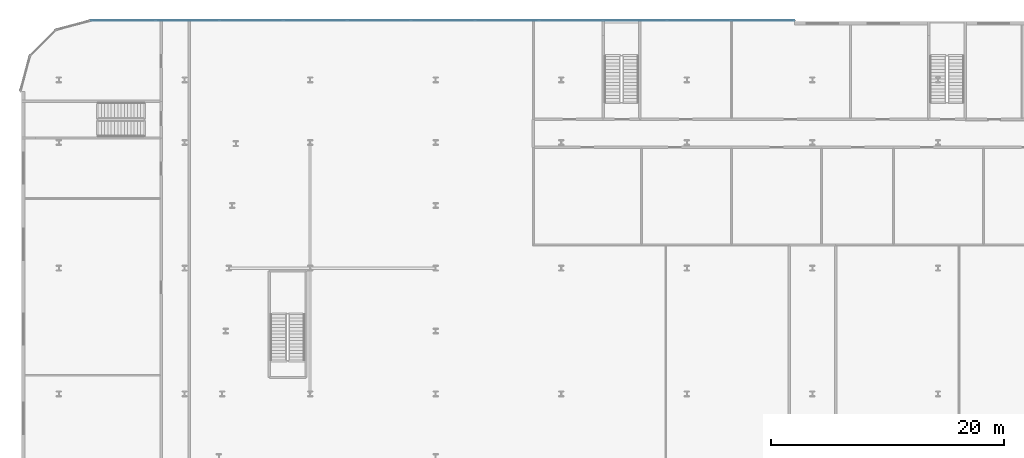
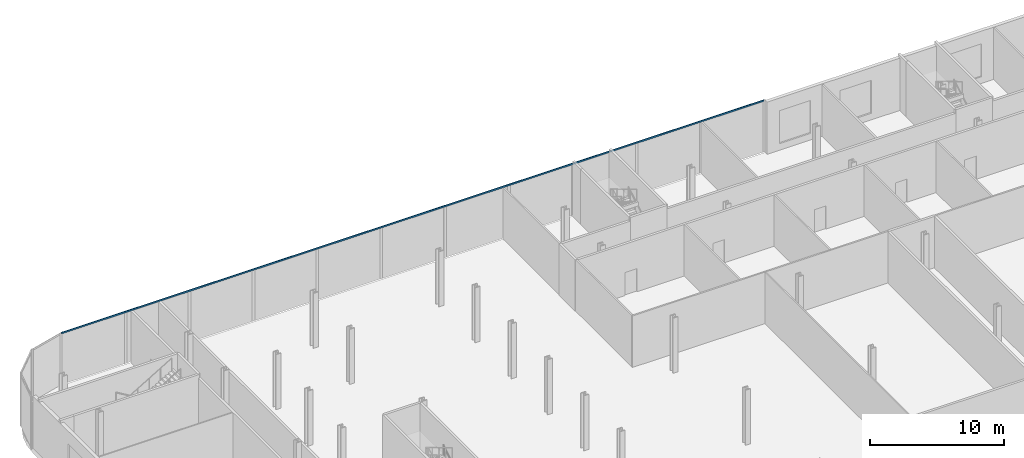
# One storey, part 16 of 47: 1 member, 1 element without a shape of its own.
"""IFC4 building model written with IfcOpenShell, lengths in metres."""

import ifcopenshell
import ifcopenshell.guid

model = None  # the IFC model being written
_history = None  # IfcOwnerHistory: only IFC2X3 demands one
_inside = {}  # id of a spatial element -> (the spatial element, [elements in it])
_under = {}  # id of a project, library or spatial element -> (it, [spatial elements below it])
_declared = {}  # id of a project -> (the project, [libraries it declares])
_typed = {}  # id of a type object -> (the type object, [elements of that type])
_made_of = {}  # id of a material, layer set ... -> (it, [elements and type objects made of it])


def new_model(schema):
    """Start an empty IFC model of exactly this schema.

    Asked for "IFC4X3", IfcOpenShell would pick the latest addendum, in which some entities
    have other attributes; the version numbers below select the first issue.
    IFC2X3 requires an IfcOwnerHistory on every rooted entity: one is made here for all.
    """
    global model, _history
    if schema == "IFC4X3":
        model = ifcopenshell.file(schema_version=(4, 3, 0, 0))
    else:
        model = ifcopenshell.file(schema=schema)
    _inside.clear()
    _under.clear()
    _declared.clear()
    _typed.clear()
    _made_of.clear()
    _history = None
    if model.schema == "IFC2X3":
        org = make("IfcOrganization", Name="unknown")
        user = make(
            "IfcPersonAndOrganization",
            ThePerson=make("IfcPerson", FamilyName="unknown"),
            TheOrganization=org,
        )
        app = make(
            "IfcApplication",
            ApplicationDeveloper=org,
            Version="unknown",
            ApplicationFullName="unknown",
            ApplicationIdentifier="unknown",
        )
        _history = make(
            "IfcOwnerHistory",
            OwningUser=user,
            OwningApplication=app,
            ChangeAction="ADDED",
            CreationDate=0,
        )
    return model


def make(cls, **values):
    """One entity of the class cls with the attributes given. An attribute that is None is left unset."""
    return model.create_entity(
        cls, **{name: value for name, value in values.items() if value is not None}
    )


def rooted(cls, **values):
    """An entity with a GlobalId (a new one), such as an element, a storey or a relation."""
    return make(cls, GlobalId=ifcopenshell.guid.new(), OwnerHistory=_history, **values)


def si_unit(unit_type, name, prefix=None):
    """IfcSIUnit, for example si_unit("LENGTHUNIT", "METRE", prefix="MILLI")."""
    return make("IfcSIUnit", UnitType=unit_type, Prefix=prefix, Name=name)


def assignment(units):
    """IfcUnitAssignment: the units of a project."""
    return None if units is None else make("IfcUnitAssignment", Units=units)


def point(xyz):
    """IfcCartesianPoint."""
    return None if xyz is None else make("IfcCartesianPoint", Coordinates=xyz)


def direction(xyz):
    """IfcDirection."""
    return None if xyz is None else make("IfcDirection", DirectionRatios=xyz)


def frame(location, z_axis=None, x_axis=None):
    """IfcAxis2Placement3D, a coordinate frame: its origin and axes. An axis left out is left unset."""
    return make(
        "IfcAxis2Placement3D",
        Location=point(location),
        Axis=direction(z_axis),
        RefDirection=direction(x_axis),
    )


def frame_2d(location, x_axis=None):
    """IfcAxis2Placement2D, a coordinate frame in the plane: its origin and x axis."""
    return make(
        "IfcAxis2Placement2D", Location=point(location), RefDirection=direction(x_axis)
    )


def origin():
    """The frame at (0, 0, 0) with its axes left unset."""
    return frame((0.0, 0.0, 0.0))


def origin_2d():
    """The frame at (0, 0) in the plane with its x axis left unset."""
    return frame_2d((0.0, 0.0))


def place(relative_to, where):
    """IfcLocalPlacement: puts the frame where relative to a parent placement (None: the world)."""
    return make(
        "IfcLocalPlacement", PlacementRelTo=relative_to, RelativePlacement=where
    )


def context(
    kind, dimensions, precision=None, world=None, true_north=None, identifier=None
):
    """IfcGeometricRepresentationContext, for example the 3D "Model" context."""
    return make(
        "IfcGeometricRepresentationContext",
        ContextIdentifier=identifier,
        ContextType=kind,
        CoordinateSpaceDimension=dimensions,
        Precision=precision,
        WorldCoordinateSystem=world,
        TrueNorth=true_north,
    )


def subcontext(parent, identifier, kind, view, scale=None):
    """IfcGeometricRepresentationSubContext, for example "Body" below "Model"."""
    return make(
        "IfcGeometricRepresentationSubContext",
        ContextIdentifier=identifier,
        ContextType=kind,
        ParentContext=parent,
        TargetScale=scale,
        TargetView=view,
    )


def project(units=None, contexts=None):
    """IfcProject with its units and contexts."""
    return rooted(
        "IfcProject",
        Name="project",
        RepresentationContexts=contexts,
        UnitsInContext=assignment(units),
    )


def spatial(cls, under=None, at=None, **own):
    """A site, building, storey or space (cls), placed at a placement, below another one or the project."""
    s = rooted(cls, ObjectPlacement=at, **own)
    if under is not None:
        _under.setdefault(under.id(), (under, []))[1].append(s)
    return s


def profile(cls, at=None, kind="AREA", **sizes):
    """A parametric profile (cls). Its sizes go by their IFC names, for example OverallWidth=200.0."""
    return make(cls, ProfileType=kind, Position=at, **sizes)


def rectangle(**sizes):
    """IfcRectangleProfileDef."""
    return profile("IfcRectangleProfileDef", **sizes)


def extrude(swept, where, along, depth):
    """IfcExtrudedAreaSolid: the profile swept, set in the frame where, extruded along a direction by depth."""
    return make(
        "IfcExtrudedAreaSolid",
        SweptArea=swept,
        Position=where,
        ExtrudedDirection=direction(along),
        Depth=depth,
    )


def shape(context_of_items, identifier, shape_type, items):
    """IfcShapeRepresentation: the items that make up one representation, for example the "Body"."""
    return make(
        "IfcShapeRepresentation",
        ContextOfItems=context_of_items,
        RepresentationIdentifier=identifier,
        RepresentationType=shape_type,
        Items=items,
    )


def material(Name=None, Category=None):
    """IfcMaterial."""
    return make("IfcMaterial", Name=Name, Category=Category)


def layer(
    of_material, thickness, ventilated=None, Name=None, Category=None, Priority=None
):
    """IfcMaterialLayer: one layer of a wall or slab, of a material (None: an air gap)."""
    return make(
        "IfcMaterialLayer",
        Material=of_material,
        LayerThickness=thickness,
        IsVentilated=ventilated,
        Name=Name,
        Category=Category,
        Priority=Priority,
    )


def layer_set(layers, Name=None):
    """IfcMaterialLayerSet."""
    return make("IfcMaterialLayerSet", MaterialLayers=layers, LayerSetName=Name)


def material_profile(
    of_material, cross_section, Name=None, Category=None, Priority=None
):
    """IfcMaterialProfile: a cross section and its material."""
    return make(
        "IfcMaterialProfile",
        Name=Name,
        Material=of_material,
        Profile=cross_section,
        Priority=Priority,
        Category=Category,
    )


def profile_set(profiles, Name=None, composite=None):
    """IfcMaterialProfileSet."""
    return make(
        "IfcMaterialProfileSet",
        Name=Name,
        MaterialProfiles=profiles,
        CompositeProfile=composite,
    )


def made_of(thing, what):
    """Note that an element or type object is made of a material, layer set ...; save() writes the relation."""
    if what is not None:
        _made_of.setdefault(what.id(), (what, []))[1].append(thing)
    return thing


def type_object(cls, material=None, **own):
    """A type object (cls), such as IfcWallType, which elements share."""
    return made_of(rooted(cls, **own), material)


def element(
    cls,
    number,
    at=None,
    inside=None,
    cuts=None,
    type_object=None,
    material=None,
    context=None,
    identifier="Body",
    shape_type=None,
    held_by="IfcProductDefinitionShape",
    body=None,
    shapes=None,
    **own,
):
    """One element of the class cls, such as IfcWall. Its Tag is "e" and its number.

    at: its placement. inside: the storey or other place that contains it. cuts: it is an
    opening in that element (IfcRelVoidsElement). A single representation is given by context,
    identifier, shape_type and body (its items); several are given by shapes. held_by: the class
    of the entity that holds the representations. save() writes the other relations.
    """
    e = rooted(cls, Tag="e%d" % number, ObjectPlacement=at, **own)
    if body is not None:
        shapes = [shape(context, identifier, shape_type, body)]
    if shapes is not None:
        e.Representation = make(held_by, Representations=shapes)
    if inside is not None:
        _inside.setdefault(inside.id(), (inside, []))[1].append(e)
    if cuts is not None:
        rooted(
            "IfcRelVoidsElement", RelatingBuildingElement=cuts, RelatedOpeningElement=e
        )
    if type_object is not None:
        _typed.setdefault(type_object.id(), (type_object, []))[1].append(e)
    return made_of(e, material)


def aggregate(whole, parts):
    """IfcRelAggregates: a whole, such as a stair, and the parts it consists of."""
    return rooted("IfcRelAggregates", RelatingObject=whole, RelatedObjects=parts)


def save(model, path):
    """Write the relations noted so far, then the file.

    IfcRelAggregates (storeys below a building ...), IfcRelContainedInSpatialStructure (elements
    in a storey), IfcRelDefinesByType, IfcRelAssociatesMaterial and IfcRelDeclares: one each for
    every whole, place, type object, material and project.
    """
    for whole, parts in _under.values():
        aggregate(whole, parts)
    for where, things in _inside.values():
        rooted(
            "IfcRelContainedInSpatialStructure",
            RelatedElements=things,
            RelatingStructure=where,
        )
    for kind, things in _typed.values():
        rooted("IfcRelDefinesByType", RelatedObjects=things, RelatingType=kind)
    for what, things in _made_of.values():
        rooted("IfcRelAssociatesMaterial", RelatedObjects=things, RelatingMaterial=what)
    for by, libraries in _declared.values():
        rooted("IfcRelDeclares", RelatingContext=by, RelatedDefinitions=libraries)
    model.write(path)


model = new_model("IFC4")

# Units and contexts
model_context = context("Model", 3, precision=1e-05, world=origin(), true_north=direction((0.0, 1.0)))
body_context = subcontext(model_context, "Body", "Model", "MODEL_VIEW")
ifc_project = project(units=[si_unit("LENGTHUNIT", "METRE"), si_unit("AREAUNIT", "SQUARE_METRE"), si_unit("VOLUMEUNIT", "CUBIC_METRE"), si_unit("PLANEANGLEUNIT", "RADIAN"), si_unit("MASSUNIT", "GRAM", prefix="KILO")], contexts=[model_context])

# Site, building, storey
site_placement = place(None, origin())
site = spatial("IfcSite", under=ifc_project, at=site_placement, CompositionType="ELEMENT")
building_placement = place(site_placement, origin())
building = spatial("IfcBuilding", under=site, at=building_placement, Name="Kheshtan School and Residences Tower", CompositionType="ELEMENT")
storey_placement = place(building_placement, frame((0.0, 0.0, 7.5)))
storey = spatial("IfcBuildingStorey", under=building, at=storey_placement, Name="L01", CompositionType="ELEMENT", Elevation=7.5)

# Curtain wall, member
ifc_material_1 = material(Name="Clear low-e glass in thermally broken aluminium frame", Category="aluminium")
ifc_layer = layer(ifc_material_1, 0.22509765625)
ifc_layer_set = layer_set([ifc_layer], Name="Curtain wall CW-P")
curtain_wall_type = type_object("IfcCurtainWallType", Name="Curtain wall CW-P", PredefinedType="NOTDEFINED", material=ifc_layer_set)
curtain_wall_placement = place(storey_placement, origin())
curtain_wall = element("IfcCurtainWall", 1, at=curtain_wall_placement, inside=storey, type_object=curtain_wall_type, Name="Curtain wall CWP4", PredefinedType="NOTDEFINED")
ifc_material_2 = material(Name="Thermally broken aluminium, dark bronze anodised", Category="aluminium")
ifc_material_profile = material_profile(ifc_material_2, rectangle(XDim=0.06005859375, YDim=0.139892578125, at=origin_2d()), Name="CW-P transom 60x140")
ifc_profile_set = profile_set([ifc_material_profile], Name="Thermally broken aluminium, dark bronze anodised")
member_type = type_object("IfcMemberType", Name="CW-P transom 60x140", PredefinedType="USERDEFINED", material=ifc_profile_set)
member_placement = place(storey_placement, frame((17.97509765625, 110.10009765625, 4.679931640625), z_axis=(1.0, 0.0, 0.0), x_axis=(0.0, 1.0, 0.0)))
member = element("IfcMember", 2, at=member_placement, type_object=member_type, Name="CWP4 transom 1", ObjectType="TRANSOM", PredefinedType="USERDEFINED", context=body_context, shape_type="SweptSolid", body=[
    extrude(rectangle(XDim=0.06005859375, YDim=0.139892578125, at=origin_2d()), origin(), (0.0, 0.0, 1.0), 60.44482421875),
])
aggregate(curtain_wall, [member])

save(model, "model.ifc")
